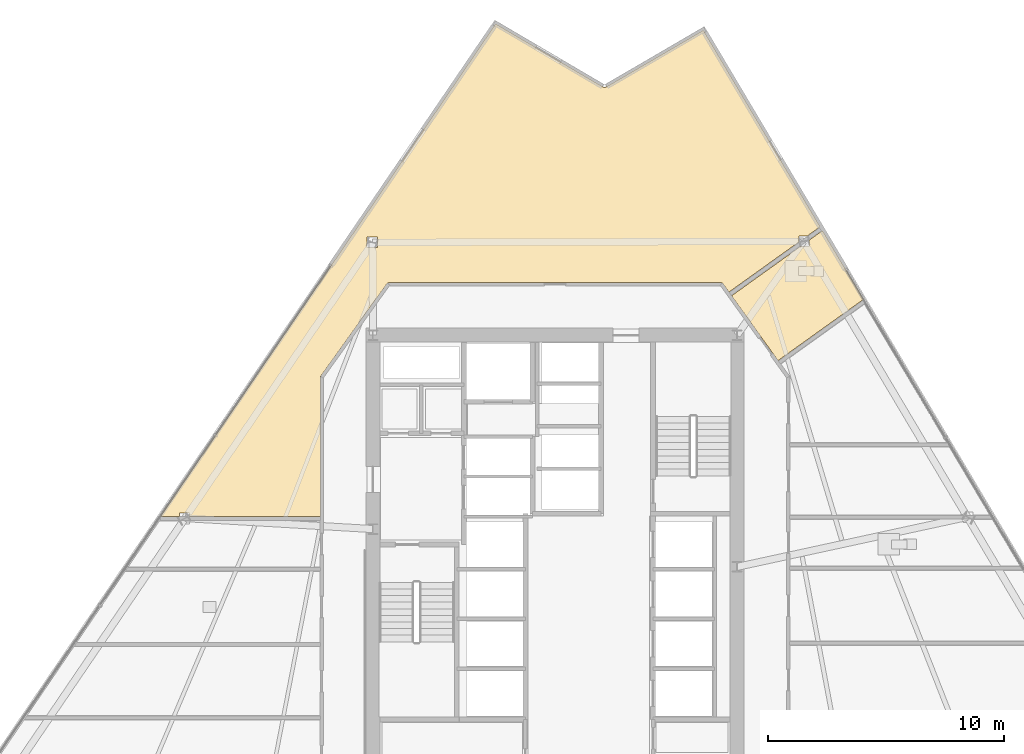
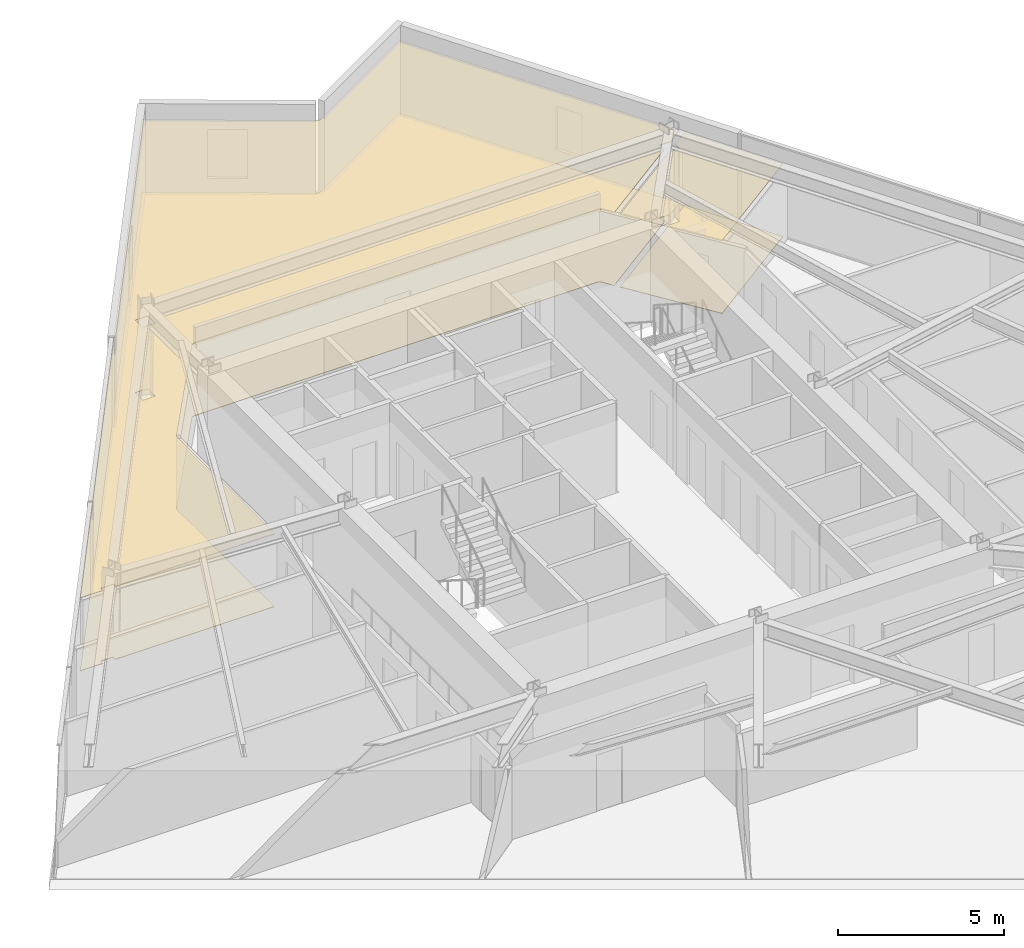
# One storey, part 16 of 17: 4 coverings.
"""IFC4 building model written with IfcOpenShell, lengths in metres."""

from ifc_helpers import new_model, si_unit, direction, frame, origin, place, context, subcontext, project, spatial, polyline, outline, extrude, material, layer, layer_set, type_object, element, save


model = new_model("IFC4")

# Units and contexts
model_context = context("Model", 3, precision=1e-05, world=origin(), true_north=direction((0.0, 1.0)))
body_context = subcontext(model_context, "Body", "Model", "MODEL_VIEW")
ifc_project = project(units=[si_unit("LENGTHUNIT", "METRE"), si_unit("AREAUNIT", "SQUARE_METRE"), si_unit("VOLUMEUNIT", "CUBIC_METRE"), si_unit("PLANEANGLEUNIT", "RADIAN"), si_unit("MASSUNIT", "GRAM", prefix="KILO")], contexts=[model_context])

# Site, building, storey
site_placement = place(None, origin())
site = spatial("IfcSite", under=ifc_project, at=site_placement, CompositionType="ELEMENT")
building_placement = place(site_placement, origin())
building = spatial("IfcBuilding", under=site, at=building_placement, Name="Savorim Split Tower", CompositionType="ELEMENT")
storey_placement = place(building_placement, frame((0.0, 0.0, 55.199951171875)))
storey = spatial("IfcBuildingStorey", under=building, at=storey_placement, Name="L14", CompositionType="ELEMENT", Elevation=55.199951171875)

# Coverings
ifc_material_1 = material(Name="Mineral Fibre Acoustic Ceiling")
ifc_layer_1 = layer(ifc_material_1, 0.02490234375)
ifc_layer_set_1 = layer_set([ifc_layer_1], Name="COV-CEIL-25")
covering_type_1 = type_object("IfcCoveringType", Name="COV-CEIL-25", PredefinedType="CEILING", material=ifc_layer_set_1)
covering_1_placement = place(storey_placement, frame((0.0, 0.0, 2.670166015625)))
element("IfcCovering", 1, at=covering_1_placement, inside=storey, type_object=covering_type_1, Name="L14 Shared Bathroom Acoustic Ceiling", PredefinedType="CEILING", context=body_context, shape_type="SweptSolid", body=[
    extrude(outline(polyline([(10.7421875, 13.945068359375), (10.371826171875, 13.945068359375), (7.46923828125, 11.865478515625), (9.43408203125, 9.123046875), (13.044677734375, 11.7099609375), (11.314208984375, 14.620361328125), (10.7421875, 14.21044921875), (10.7421875, 13.945068359375)])), origin(), (0.0, 0.0, 1.0), 0.02490234375),
])
covering_2_placement = place(storey_placement, frame((0.0, 0.0, 2.670166015625)))
element("IfcCovering", 2, at=covering_2_placement, inside=storey, type_object=covering_type_1, Name="L14 Co-Working Commons Acoustic Ceiling", PredefinedType="CEILING", context=body_context, shape_type="SweptSolid", body=[
    extrude(outline(polyline([(2.05859375, 20.683837890625), (2.0478515625, 20.688232421875), (2.03759765625, 20.693603515625), (-2.510009765625, 23.3662109375), (-16.677001953125, 2.540771484375), (-15.883544921875, 2.540771484375), (-15.883544921875, 2.673095703125), (-15.451416015625, 2.673095703125), (-15.451416015625, 2.540771484375), (-9.919921875, 2.540771484375), (-9.919921875, 8.39990234375), (-9.919189453125, 8.41455078125), (-9.9169921875, 8.4287109375), (-9.913330078125, 8.44287109375), (-9.908203125, 8.456298828125), (-9.901611328125, 8.46923828125), (-9.893798828125, 8.4814453125), (-7.11376953125, 12.361572265625), (-7.105712890625, 12.3720703125), (-7.096435546875, 12.381591796875), (-7.086181640625, 12.39013671875), (-7.075439453125, 12.39794921875), (-7.06396484375, 12.404541015625), (-7.052001953125, 12.409912109375), (-7.039306640625, 12.414306640625), (-7.0263671875, 12.41748046875), (-7.01318359375, 12.41943359375), (-7.0, 12.419921875), (7.0, 12.419921875), (7.01318359375, 12.41943359375), (7.0263671875, 12.41748046875), (7.039306640625, 12.414306640625), (7.052001953125, 12.409912109375), (7.06396484375, 12.404541015625), (7.075439453125, 12.39794921875), (7.086181640625, 12.39013671875), (7.096435546875, 12.381591796875), (7.105712890625, 12.3720703125), (7.11376953125, 12.361572265625), (7.358642578125, 12.02001953125), (10.310302734375, 14.134765625), (10.310302734375, 14.400146484375), (10.6806640625, 14.400146484375), (11.169189453125, 14.750244140625), (11.216796875, 14.7841796875), (6.276123046875, 23.093017578125), (2.15869140625, 20.693359375), (2.148681640625, 20.68798828125), (2.137939453125, 20.68359375), (2.126708984375, 20.680419921875), (2.115478515625, 20.67822265625), (2.10400390625, 20.677001953125), (2.09228515625, 20.677001953125), (2.080810546875, 20.67822265625), (2.069580078125, 20.680419921875), (2.05859375, 20.683837890625)]), holes=[polyline([(-7.507080078125, 14.351318359375), (-7.939208984375, 14.351318359375), (-7.939208984375, 13.896240234375), (-7.507080078125, 13.896240234375), (-7.507080078125, 14.351318359375)])]), origin(), (0.0, 0.0, 1.0), 0.02490234375),
])
ifc_material_2 = material(Name="Porcelain Stoneware Flooring", Category="masonry")
ifc_layer_2 = layer(ifc_material_2, 0.02001953125)
ifc_layer_set_2 = layer_set([ifc_layer_2], Name="COV-FLOR-20")
covering_type_2 = type_object("IfcCoveringType", Name="COV-FLOR-20", PredefinedType="FLOORING", material=ifc_layer_set_2)
covering_3_placement = place(storey_placement, origin())
element("IfcCovering", 3, at=covering_3_placement, inside=storey, type_object=covering_type_2, Name="L14 Shared Bathroom Porcelain Flooring", PredefinedType="FLOORING", context=body_context, shape_type="SweptSolid", body=[
    extrude(outline(polyline([(10.7421875, 13.945068359375), (10.371826171875, 13.945068359375), (7.46923828125, 11.865478515625), (9.43408203125, 9.123046875), (13.044677734375, 11.7099609375), (11.314208984375, 14.620361328125), (10.7421875, 14.21044921875), (10.7421875, 13.945068359375)])), origin(), (0.0, 0.0, 1.0), 0.02001953125),
])
covering_4_placement = place(storey_placement, origin())
element("IfcCovering", 4, at=covering_4_placement, inside=storey, type_object=covering_type_2, Name="L14 Co-Working Commons Porcelain Flooring", PredefinedType="FLOORING", context=body_context, shape_type="SweptSolid", body=[
    extrude(outline(polyline([(2.05859375, 20.683837890625), (2.0478515625, 20.688232421875), (2.03759765625, 20.693603515625), (-2.510009765625, 23.3662109375), (-16.677001953125, 2.540771484375), (-15.883544921875, 2.540771484375), (-15.883544921875, 2.673095703125), (-15.451416015625, 2.673095703125), (-15.451416015625, 2.540771484375), (-9.919921875, 2.540771484375), (-9.919921875, 8.39990234375), (-9.919189453125, 8.41455078125), (-9.9169921875, 8.4287109375), (-9.913330078125, 8.44287109375), (-9.908203125, 8.456298828125), (-9.901611328125, 8.46923828125), (-9.893798828125, 8.4814453125), (-7.11376953125, 12.361572265625), (-7.105712890625, 12.3720703125), (-7.096435546875, 12.381591796875), (-7.086181640625, 12.39013671875), (-7.075439453125, 12.39794921875), (-7.06396484375, 12.404541015625), (-7.052001953125, 12.409912109375), (-7.039306640625, 12.414306640625), (-7.0263671875, 12.41748046875), (-7.01318359375, 12.41943359375), (-7.0, 12.419921875), (7.0, 12.419921875), (7.01318359375, 12.41943359375), (7.0263671875, 12.41748046875), (7.039306640625, 12.414306640625), (7.052001953125, 12.409912109375), (7.06396484375, 12.404541015625), (7.075439453125, 12.39794921875), (7.086181640625, 12.39013671875), (7.096435546875, 12.381591796875), (7.105712890625, 12.3720703125), (7.11376953125, 12.361572265625), (7.358642578125, 12.02001953125), (10.310302734375, 14.134765625), (10.310302734375, 14.400146484375), (10.6806640625, 14.400146484375), (11.169189453125, 14.750244140625), (11.216796875, 14.7841796875), (6.276123046875, 23.093017578125), (2.15869140625, 20.693359375), (2.148681640625, 20.68798828125), (2.137939453125, 20.68359375), (2.126708984375, 20.680419921875), (2.115478515625, 20.67822265625), (2.10400390625, 20.677001953125), (2.09228515625, 20.677001953125), (2.080810546875, 20.67822265625), (2.069580078125, 20.680419921875), (2.05859375, 20.683837890625)]), holes=[polyline([(-7.507080078125, 14.351318359375), (-7.939208984375, 14.351318359375), (-7.939208984375, 13.896240234375), (-7.507080078125, 13.896240234375), (-7.507080078125, 14.351318359375)])]), origin(), (0.0, 0.0, 1.0), 0.02001953125),
])

save(model, "model.ifc")
